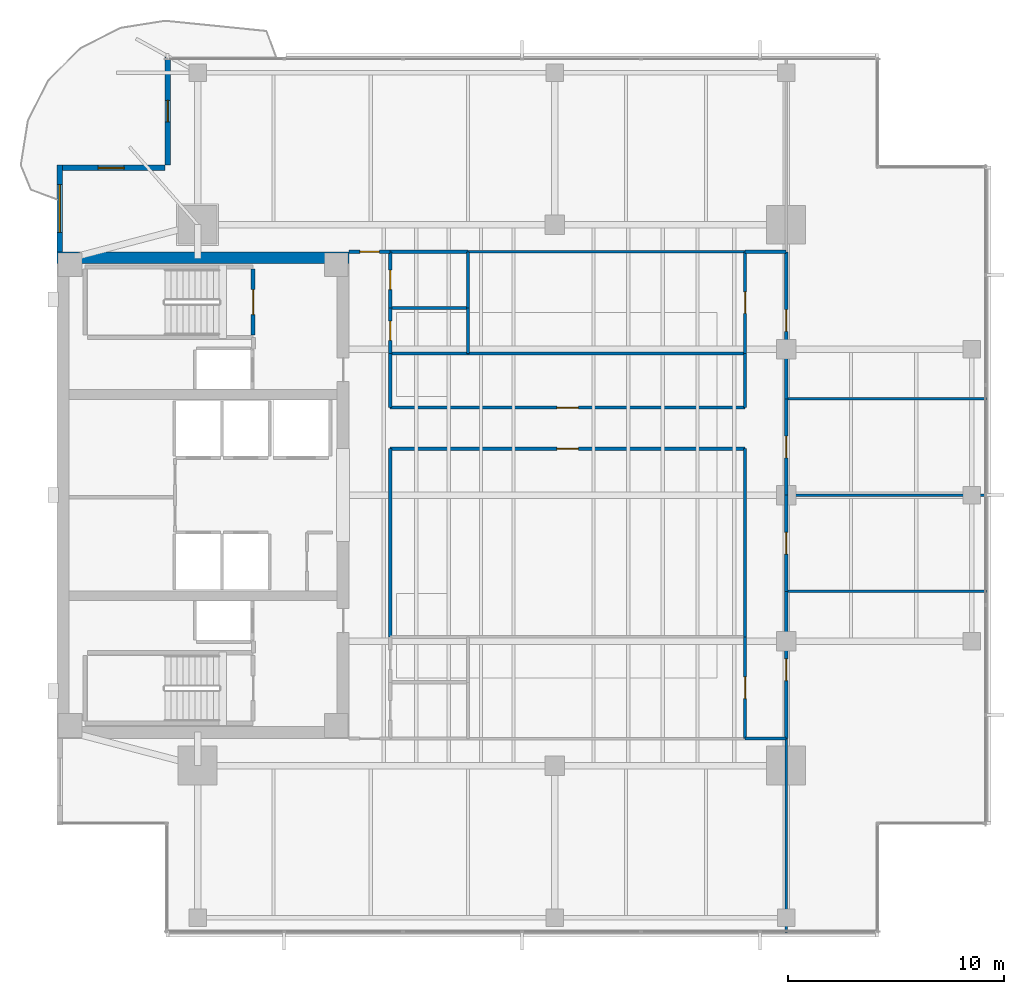
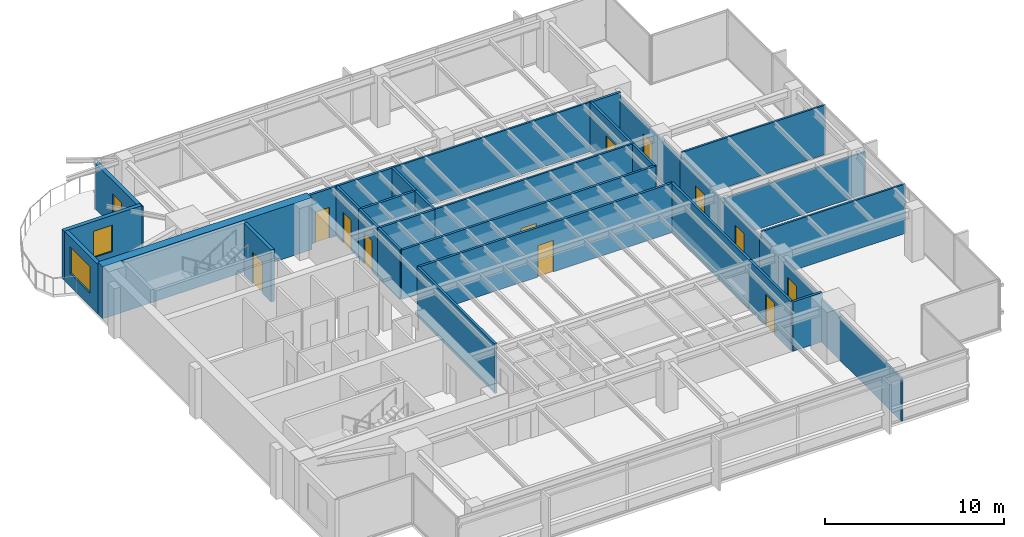
# One storey, part 9 of 14: 33 walls, 13 doors, 2 windows, 15 openings.
"""IFC4 building model written with IfcOpenShell, lengths in metres."""

from ifc_helpers import new_model, si_unit, direction, frame, frame_2d, origin, place, context, subcontext, project, spatial, rectangle, extrude, material, layer, layer_set, type_object, element, fill, save


model = new_model("IFC4")

# Units and contexts
model_context = context("Model", 3, precision=1e-05, world=origin(), true_north=direction((0.0, 1.0)))
body_context = subcontext(model_context, "Body", "Model", "MODEL_VIEW")
ifc_project = project(units=[si_unit("LENGTHUNIT", "METRE"), si_unit("AREAUNIT", "SQUARE_METRE"), si_unit("VOLUMEUNIT", "CUBIC_METRE"), si_unit("PLANEANGLEUNIT", "RADIAN"), si_unit("MASSUNIT", "GRAM", prefix="KILO")], contexts=[model_context])

# Site, building, storey
site_placement = place(None, origin())
site = spatial("IfcSite", under=ifc_project, at=site_placement, CompositionType="ELEMENT")
building_placement = place(site_placement, origin())
building = spatial("IfcBuilding", under=site, at=building_placement, Name="Kinhvarn Gate Tower", CompositionType="ELEMENT")
storey_placement = place(building_placement, frame((0.0, 0.0, 209.35009765625)))
storey = spatial("IfcBuildingStorey", under=building, at=storey_placement, Name="L55", CompositionType="ELEMENT", Elevation=209.35009765625)

# Wall
ifc_material_1 = material(Name="Concrete C60/75", Category="concrete")
ifc_layer_1 = layer(ifc_material_1, 0.550048828125)
ifc_layer_set_1 = layer_set([ifc_layer_1], Name="Concrete C60/75")
wall_type_1 = type_object("IfcWallType", Name="WL-CORE-550", PredefinedType="SHEAR", material=ifc_layer_set_1)
wall_1_placement = place(storey_placement, frame((4.5, 36.22509765625, 0.0), z_axis=(0.0, 0.0, 1.0), x_axis=(1.0, 0.0, 0.0)))
element("IfcWall", 1, at=wall_1_placement, inside=storey, type_object=wall_type_1, Name="Core North Shear Wall L55 550 mm", PredefinedType="SHEAR", context=body_context, shape_type="SweptSolid", body=[
    extrude(rectangle(XDim=13.5, YDim=0.550048828125, at=frame_2d((6.75, 0.0))), origin(), (0.0, 0.0, 1.0), 3.5498046875),
])

# Wall, opening, window
ifc_material_2 = material(Name="Fired architectural terracotta", Category="masonry")
ifc_layer_2 = layer(ifc_material_2, 0.25)
ifc_layer_set_2 = layer_set([ifc_layer_2], Name="Fired architectural terracotta")
wall_type_2 = type_object("IfcWallType", Name="WL-EXT-250", PredefinedType="SOLIDWALL", material=ifc_layer_set_2)
wall_2_placement = place(storey_placement, frame((4.625, 40.5, 0.0), z_axis=(0.0, 0.0, 1.0), x_axis=(0.0, -1.0, 0.0)))
wall_2 = element("IfcWall", 2, at=wall_2_placement, inside=storey, type_object=wall_type_2, Name="Exterior Solidwall Wall EW-250 (L55 West-North)", PredefinedType="SOLIDWALL", context=body_context, shape_type="SweptSolid", body=[
    extrude(rectangle(XDim=4.0, YDim=0.25, at=frame_2d((2.0, 0.0))), origin(), (0.0, 0.0, 1.0), 3.369873046875),
])
opening_1_placement = place(wall_2_placement, frame((0.89990234375, 0.0, 0.89990234375)))
opening_1 = element("IfcOpeningElement", 3, at=opening_1_placement, cuts=wall_2, Name="Opening WN-01", PredefinedType="OPENING", context=body_context, shape_type="SweptSolid", body=[
    extrude(rectangle(XDim=2.199951171875, YDim=1.800048828125, at=frame_2d((1.10009765625, 0.89990234375))), frame((0.0, 0.135009765625, 0.0), z_axis=(0.0, -1.0, 0.0), x_axis=(1.0, 0.0, 0.0)), (0.0, 0.0, 1.0), 0.27001953125),
])
ifc_material_3 = material(Name="Clear low-e double glazing", Category="glass")
window_type_1 = type_object("IfcWindowType", Name="WIN-RIB-2200", PartitioningType="SINGLE_PANEL", PredefinedType="WINDOW", material=ifc_material_3)
window_1_placement = place(opening_1_placement, origin())
window_1 = element("IfcWindow", 4, at=window_1_placement, inside=storey, type_object=window_type_1, Name="West Flank Double-Glazed Ribbon Window 2200x1800 mm (L55)", OverallHeight=1.800048828125, OverallWidth=2.199951171875, PartitioningType="SINGLE_PANEL", PredefinedType="WINDOW", context=body_context, shape_type="SweptSolid", body=[
    extrude(rectangle(XDim=2.199951171875, YDim=1.800048828125, at=frame_2d((1.10009765625, 0.89990234375))), frame((0.0, 0.030029296875, 0.0), z_axis=(0.0, -1.0, 0.0), x_axis=(1.0, 0.0, 0.0)), (0.0, 0.0, 1.0), 0.06005859375),
])
fill(opening_1, window_1)

# Wall, opening, door
wall_3_placement = place(storey_placement, frame((9.625, 45.5, 0.0), z_axis=(0.0, 0.0, 1.0), x_axis=(0.0, -1.0, 0.0)))
wall_3 = element("IfcWall", 5, at=wall_3_placement, inside=storey, type_object=wall_type_2, Name="Exterior Solidwall Wall EW-250 (L55 NW-Notch-Door)", PredefinedType="SOLIDWALL", context=body_context, shape_type="SweptSolid", body=[
    extrude(rectangle(XDim=5.0, YDim=0.25, at=frame_2d((2.5, 0.0))), origin(), (0.0, 0.0, 1.0), 3.099853515625),
])
opening_2_placement = place(wall_3_placement, frame((2.0, 0.0, 0.0)))
opening_2 = element("IfcOpeningElement", 6, at=opening_2_placement, cuts=wall_3, Name="Opening BD-01", PredefinedType="OPENING", context=body_context, shape_type="SweptSolid", body=[
    extrude(rectangle(XDim=1.0, YDim=2.199951171875, at=frame_2d((0.5, 1.10009765625))), frame((0.0, 0.135009765625, 0.0), z_axis=(0.0, -1.0, 0.0), x_axis=(1.0, 0.0, 0.0)), (0.0, 0.0, 1.0), 0.27001953125),
])
door_type_1 = type_object("IfcDoorType", Name="DR-BAL-1000", OperationType="NOTDEFINED", PredefinedType="DOOR", material=ifc_material_3)
door_1_placement = place(opening_2_placement, frame((1.0, 0.0, 0.0), z_axis=(0.0, 0.0, 1.0), x_axis=(-1.0, 0.0, 0.0)))
door_1 = element("IfcDoor", 7, at=door_1_placement, inside=storey, type_object=door_type_1, Name="S-Carve Balcony Door BD-01 (L55)", OperationType="SINGLE_SWING_RIGHT", OverallHeight=2.199951171875, OverallWidth=1.0, PredefinedType="DOOR", context=body_context, shape_type="SweptSolid", body=[
    extrude(rectangle(XDim=1.0, YDim=2.199951171875, at=frame_2d((0.5, 1.10009765625))), frame((0.0, 0.02490234375, 0.0), z_axis=(0.0, -1.0, 0.0), x_axis=(1.0, 0.0, 0.0)), (0.0, 0.0, 1.0), 0.050048828125),
])
fill(opening_2, door_1)

# Wall, opening, window
wall_4_placement = place(storey_placement, frame((9.5, 40.375, 0.0), z_axis=(0.0, 0.0, 1.0), x_axis=(-1.0, 0.0, 0.0)))
wall_4 = element("IfcWall", 8, at=wall_4_placement, inside=storey, type_object=wall_type_2, Name="Exterior Solidwall Wall EW-250 (L55 NW-Notch-Win)", PredefinedType="SOLIDWALL", context=body_context, shape_type="SweptSolid", body=[
    extrude(rectangle(XDim=5.0, YDim=0.25, at=frame_2d((2.5, 0.0))), origin(), (0.0, 0.0, 1.0), 3.369873046875),
])
opening_3_placement = place(wall_4_placement, frame((1.89990234375, 0.0, 0.89990234375)))
opening_3 = element("IfcOpeningElement", 9, at=opening_3_placement, cuts=wall_4, Name="Opening WN-02", PredefinedType="OPENING", context=body_context, shape_type="SweptSolid", body=[
    extrude(rectangle(XDim=1.199951171875, YDim=1.800048828125, at=frame_2d((0.60009765625, 0.89990234375))), frame((0.0, 0.135009765625, 0.0), z_axis=(0.0, -1.0, 0.0), x_axis=(1.0, 0.0, 0.0)), (0.0, 0.0, 1.0), 0.27001953125),
])
window_type_2 = type_object("IfcWindowType", Name="WIN-NTC-1200", PartitioningType="SINGLE_PANEL", PredefinedType="WINDOW", material=ifc_material_3)
window_2_placement = place(opening_3_placement, origin())
window_2 = element("IfcWindow", 10, at=window_2_placement, inside=storey, type_object=window_type_2, Name="Recessed Corner Notch Punched Window 1200x1800 mm (L55)", OverallHeight=1.800048828125, OverallWidth=1.199951171875, PartitioningType="SINGLE_PANEL", PredefinedType="WINDOW", context=body_context, shape_type="SweptSolid", body=[
    extrude(rectangle(XDim=1.199951171875, YDim=1.800048828125, at=frame_2d((0.60009765625, 0.89990234375))), frame((0.0, 0.030029296875, 0.0), z_axis=(0.0, -1.0, 0.0), x_axis=(1.0, 0.0, 0.0)), (0.0, 0.0, 1.0), 0.06005859375),
])
fill(opening_3, window_2)

# Walls
ifc_material_4 = material(Name="Gypsum acoustic partition board")
ifc_layer_3 = layer(ifc_material_4, 0.14990234375)
ifc_layer_set_3 = layer_set([ifc_layer_3], Name="Gypsum acoustic partition board")
wall_type_3 = type_object("IfcWallType", Name="WL-PLM-150", PredefinedType="PLUMBINGWALL", material=ifc_layer_set_3)
wall_5_placement = place(storey_placement, frame((19.89990234375, 33.89990234375, 0.0), z_axis=(0.0, 0.0, 1.0), x_axis=(1.0, 0.0, 0.0)))
element("IfcWall", 11, at=wall_5_placement, inside=storey, type_object=wall_type_3, Name="Interior Partition PLW-150 (L55)", PredefinedType="PLUMBINGWALL", context=body_context, shape_type="SweptSolid", body=[
    extrude(rectangle(XDim=3.60009765625, YDim=0.14990234375, at=frame_2d((1.800048828125, 0.0))), origin(), (0.0, 0.0, 1.0), 3.369873046875),
])
wall_6_placement = place(storey_placement, frame((23.5, 33.89990234375, 0.0), z_axis=(0.0, 0.0, 1.0), x_axis=(0.0, 1.0, 0.0)))
element("IfcWall", 12, at=wall_6_placement, inside=storey, type_object=wall_type_3, Name="Interior Partition PLW-150 (L55)", PredefinedType="PLUMBINGWALL", context=body_context, shape_type="SweptSolid", body=[
    extrude(rectangle(XDim=2.60009765625, YDim=0.14990234375, at=frame_2d((1.300048828125, 0.0))), origin(), (0.0, 0.0, 1.0), 3.369873046875),
])
wall_7_placement = place(storey_placement, frame((19.89990234375, 36.5, 0.0), z_axis=(0.0, 0.0, 1.0), x_axis=(1.0, 0.0, 0.0)))
element("IfcWall", 13, at=wall_7_placement, inside=storey, type_object=wall_type_3, Name="Interior Partition PLW-150 (L55)", PredefinedType="PLUMBINGWALL", context=body_context, shape_type="SweptSolid", body=[
    extrude(rectangle(XDim=3.60009765625, YDim=0.14990234375, at=frame_2d((1.800048828125, 0.0))), origin(), (0.0, 0.0, 1.0), 3.369873046875),
])
wall_8_placement = place(storey_placement, frame((23.5, 31.800048828125, 0.0), z_axis=(0.0, 0.0, 1.0), x_axis=(0.0, 1.0, 0.0)))
element("IfcWall", 14, at=wall_8_placement, inside=storey, type_object=wall_type_3, Name="Interior Partition PLW-150 (L55)", PredefinedType="PLUMBINGWALL", context=body_context, shape_type="SweptSolid", body=[
    extrude(rectangle(XDim=2.099853515625, YDim=0.14990234375, at=frame_2d((1.0498046875, 0.0))), origin(), (0.0, 0.0, 1.0), 3.369873046875),
])
wall_9_placement = place(storey_placement, frame((19.89990234375, 31.800048828125, 0.0), z_axis=(0.0, 0.0, 1.0), x_axis=(1.0, 0.0, 0.0)))
element("IfcWall", 15, at=wall_9_placement, inside=storey, type_object=wall_type_3, Name="Interior Partition PLW-150 (L55)", PredefinedType="PLUMBINGWALL", context=body_context, shape_type="SweptSolid", body=[
    extrude(rectangle(XDim=3.60009765625, YDim=0.14990234375, at=frame_2d((1.800048828125, 0.0))), origin(), (0.0, 0.0, 1.0), 3.369873046875),
])

# Wall, opening, door
ifc_layer_4 = layer(ifc_material_4, 0.14990234375)
ifc_layer_set_4 = layer_set([ifc_layer_4], Name="Gypsum acoustic partition board")
wall_type_4 = type_object("IfcWallType", Name="WL-PLM-150F", PredefinedType="PLUMBINGWALL", material=ifc_layer_set_4)
wall_10_placement = place(storey_placement, frame((19.89990234375, 33.89990234375, 0.0), z_axis=(0.0, 0.0, 1.0), x_axis=(0.0, 1.0, 0.0)))
wall_10 = element("IfcWall", 16, at=wall_10_placement, inside=storey, type_object=wall_type_4, Name="Interior Partition PLW-150F (L55)", PredefinedType="PLUMBINGWALL", context=body_context, shape_type="SweptSolid", body=[
    extrude(rectangle(XDim=2.60009765625, YDim=0.14990234375, at=frame_2d((1.300048828125, 0.0))), origin(), (0.0, 0.0, 1.0), 3.369873046875),
])
opening_4_placement = place(wall_10_placement, frame((0.85009765625, 0.0, 0.0)))
opening_4 = element("IfcOpeningElement", 17, at=opening_4_placement, cuts=wall_10, Name="Opening FD-04", PredefinedType="OPENING", context=body_context, shape_type="SweptSolid", body=[
    extrude(rectangle(XDim=0.89990234375, YDim=2.10009765625, at=frame_2d((0.449951171875, 1.050048828125))), frame((0.0, 0.0849609375, 0.0), z_axis=(0.0, -1.0, 0.0), x_axis=(1.0, 0.0, 0.0)), (0.0, 0.0, 1.0), 0.169921875),
])
ifc_material_5 = material(Name="Anodised aluminium AW-6063", Category="aluminium")
door_type_2 = type_object("IfcDoorType", Name="DR-FD-900", OperationType="NOTDEFINED", PredefinedType="DOOR", material=ifc_material_5)
door_2_placement = place(opening_4_placement, origin())
door_2 = element("IfcDoor", 18, at=door_2_placement, inside=storey, type_object=door_type_2, Name="Rated Riser & Service Closet Fire Door 900x2100 mm (L55)", OperationType="SINGLE_SWING_LEFT", OverallHeight=2.10009765625, OverallWidth=0.89990234375, PredefinedType="DOOR", context=body_context, shape_type="SweptSolid", body=[
    extrude(rectangle(XDim=0.89990234375, YDim=2.10009765625, at=frame_2d((0.449951171875, 1.050048828125))), frame((0.0, 0.02490234375, 0.0), z_axis=(0.0, -1.0, 0.0), x_axis=(1.0, 0.0, 0.0)), (0.0, 0.0, 1.0), 0.050048828125),
])
fill(opening_4, door_2)

wall_11_placement = place(storey_placement, frame((19.89990234375, 31.800048828125, 0.0), z_axis=(0.0, 0.0, 1.0), x_axis=(0.0, 1.0, 0.0)))
wall_11 = element("IfcWall", 19, at=wall_11_placement, inside=storey, type_object=wall_type_4, Name="Interior Partition PLW-150F (L55)", PredefinedType="PLUMBINGWALL", context=body_context, shape_type="SweptSolid", body=[
    extrude(rectangle(XDim=2.099853515625, YDim=0.14990234375, at=frame_2d((1.0498046875, 0.0))), origin(), (0.0, 0.0, 1.0), 3.369873046875),
])
opening_5_placement = place(wall_11_placement, frame((0.60009765625, 0.0, 0.0)))
opening_5 = element("IfcOpeningElement", 20, at=opening_5_placement, cuts=wall_11, Name="Opening FD-04", PredefinedType="OPENING", context=body_context, shape_type="SweptSolid", body=[
    extrude(rectangle(XDim=0.89990234375, YDim=2.10009765625, at=frame_2d((0.449951171875, 1.050048828125))), frame((0.0, 0.0849609375, 0.0), z_axis=(0.0, -1.0, 0.0), x_axis=(1.0, 0.0, 0.0)), (0.0, 0.0, 1.0), 0.169921875),
])
door_3_placement = place(opening_5_placement, origin())
door_3 = element("IfcDoor", 21, at=door_3_placement, inside=storey, type_object=door_type_2, Name="Rated Riser & Service Closet Fire Door 900x2100 mm (L55)", OperationType="SINGLE_SWING_LEFT", OverallHeight=2.10009765625, OverallWidth=0.89990234375, PredefinedType="DOOR", context=body_context, shape_type="SweptSolid", body=[
    extrude(rectangle(XDim=0.89990234375, YDim=2.10009765625, at=frame_2d((0.449951171875, 1.050048828125))), frame((0.0, 0.02490234375, 0.0), z_axis=(0.0, -1.0, 0.0), x_axis=(1.0, 0.0, 0.0)), (0.0, 0.0, 1.0), 0.050048828125),
])
fill(opening_5, door_3)

# Walls
ifc_layer_5 = layer(ifc_material_4, 0.1201171875)
ifc_layer_set_5 = layer_set([ifc_layer_5], Name="Gypsum acoustic partition board")
wall_type_5 = type_object("IfcWallType", Name="WL-PRT-120", PredefinedType="PARTITIONING", material=ifc_layer_set_5)
for number, where, z_axis, x_axis, name in (
    (22, (23.5, 31.800048828125, 0.0), (0.0, 0.0, 1.0), (1.0, 0.0, 0.0), "Interior Partition PW-120 (L55)"),
    (23, (23.5, 36.5, 0.0), (0.0, 0.0, 1.0), (1.0, 0.0, 0.0), "Interior Partition PW-120 (L55)"),
):
    element("IfcWall", number, at=place(storey_placement, frame(where, z_axis=z_axis, x_axis=x_axis)), inside=storey, type_object=wall_type_5, Name=name, PredefinedType="PARTITIONING", context=body_context, shape_type="SweptSolid", body=[
        extrude(rectangle(XDim=12.800048828125, YDim=0.1201171875, at=frame_2d((6.39990234375, 0.0))), origin(), (0.0, 0.0, 1.0), 3.369873046875),
    ])
wall_12_placement = place(storey_placement, frame((38.199951171875, 5.010009765625, 0.0), z_axis=(0.0, 0.0, 1.0), x_axis=(0.0, 1.0, 0.0)))
element("IfcWall", 24, at=wall_12_placement, inside=storey, type_object=wall_type_5, Name="Interior Partition PW-120 (L55)", PredefinedType="PARTITIONING", context=body_context, shape_type="SweptSolid", body=[
    extrude(rectangle(XDim=8.989990234375, YDim=0.1201171875, at=frame_2d((4.4951171875, 0.0))), origin(), (0.0, 0.0, 1.0), 2.919921875),
])
wall_13_placement = place(storey_placement, frame((38.199951171875, 20.800048828125, 0.0), z_axis=(0.0, 0.0, 1.0), x_axis=(1.0, 0.0, 0.0)))
element("IfcWall", 25, at=wall_13_placement, inside=storey, type_object=wall_type_5, Name="Interior Partition PW-120 (L55)", PredefinedType="PARTITIONING", context=body_context, shape_type="SweptSolid", body=[
    extrude(rectangle(XDim=9.2900390625, YDim=0.1201171875, at=frame_2d((4.64501953125, 0.0))), origin(), (0.0, 0.0, 1.0), 3.369873046875),
])
wall_14_placement = place(storey_placement, frame((38.199951171875, 25.25, 0.0), z_axis=(0.0, 0.0, 1.0), x_axis=(1.0, 0.0, 0.0)))
element("IfcWall", 26, at=wall_14_placement, inside=storey, type_object=wall_type_5, Name="Interior Partition PW-120 (L55)", PredefinedType="PARTITIONING", context=body_context, shape_type="SweptSolid", body=[
    extrude(rectangle(XDim=9.2900390625, YDim=0.1201171875, at=frame_2d((4.64501953125, 0.0))), origin(), (0.0, 0.0, 1.0), 2.869873046875),
])
wall_15_placement = place(storey_placement, frame((38.199951171875, 29.699951171875, 0.0), z_axis=(0.0, 0.0, 1.0), x_axis=(1.0, 0.0, 0.0)))
element("IfcWall", 27, at=wall_15_placement, inside=storey, type_object=wall_type_5, Name="Interior Partition PW-120 (L55)", PredefinedType="PARTITIONING", context=body_context, shape_type="SweptSolid", body=[
    extrude(rectangle(XDim=9.2900390625, YDim=0.1201171875, at=frame_2d((4.64501953125, 0.0))), origin(), (0.0, 0.0, 1.0), 3.369873046875),
])
ifc_layer_6 = layer(ifc_material_4, 0.14990234375)
ifc_layer_set_6 = layer_set([ifc_layer_6], Name="Gypsum acoustic partition board")
wall_type_6 = type_object("IfcWallType", Name="WL-PRT-150F", PredefinedType="PARTITIONING", material=ifc_layer_set_6)
wall_16_placement = place(storey_placement, frame((19.89990234375, 18.699951171875, 0.0), z_axis=(0.0, 0.0, 1.0), x_axis=(0.0, 1.0, 0.0)))
element("IfcWall", 28, at=wall_16_placement, inside=storey, type_object=wall_type_6, Name="Interior Partition PW-150F (L55)", PredefinedType="PARTITIONING", context=body_context, shape_type="SweptSolid", body=[
    extrude(rectangle(XDim=8.699951171875, YDim=0.14990234375, at=frame_2d((4.35009765625, 0.0))), origin(), (0.0, 0.0, 1.0), 3.369873046875),
])
wall_17_placement = place(storey_placement, frame((19.89990234375, 29.300048828125, 0.0), z_axis=(0.0, 0.0, 1.0), x_axis=(0.0, 1.0, 0.0)))
element("IfcWall", 29, at=wall_17_placement, inside=storey, type_object=wall_type_6, Name="Interior Partition PW-150F (L55)", PredefinedType="PARTITIONING", context=body_context, shape_type="SweptSolid", body=[
    extrude(rectangle(XDim=2.5, YDim=0.14990234375, at=frame_2d((1.25, 0.0))), origin(), (0.0, 0.0, 1.0), 3.369873046875),
])

# Wall, opening, door
wall_18_placement = place(storey_placement, frame((18.0, 36.5, 0.0), z_axis=(0.0, 0.0, 1.0), x_axis=(1.0, 0.0, 0.0)))
wall_18 = element("IfcWall", 30, at=wall_18_placement, inside=storey, type_object=wall_type_6, Name="Interior Partition PW-150F (L55)", PredefinedType="PARTITIONING", context=body_context, shape_type="SweptSolid", body=[
    extrude(rectangle(XDim=1.89990234375, YDim=0.14990234375, at=frame_2d((0.949951171875, 0.0))), origin(), (0.0, 0.0, 1.0), 3.369873046875),
])
opening_6_placement = place(wall_18_placement, frame((0.5, 0.0, 0.0)))
opening_6 = element("IfcOpeningElement", 31, at=opening_6_placement, cuts=wall_18, Name="Opening ID-03", PredefinedType="OPENING", context=body_context, shape_type="SweptSolid", body=[
    extrude(rectangle(XDim=0.89990234375, YDim=2.10009765625, at=frame_2d((0.449951171875, 1.050048828125))), frame((0.0, 0.0849609375, 0.0), z_axis=(0.0, -1.0, 0.0), x_axis=(1.0, 0.0, 0.0)), (0.0, 0.0, 1.0), 0.169921875),
])
door_type_3 = type_object("IfcDoorType", Name="DR-INT-900", OperationType="NOTDEFINED", PredefinedType="DOOR", material=ifc_material_5)
door_4_placement = place(opening_6_placement, origin())
door_4 = element("IfcDoor", 32, at=door_4_placement, inside=storey, type_object=door_type_3, Name="Cellular Office & Restroom Door 900x2100 mm (L55)", OperationType="SINGLE_SWING_LEFT", OverallHeight=2.10009765625, OverallWidth=0.89990234375, PredefinedType="DOOR", context=body_context, shape_type="SweptSolid", body=[
    extrude(rectangle(XDim=0.89990234375, YDim=2.10009765625, at=frame_2d((0.449951171875, 1.050048828125))), frame((0.0, 0.02490234375, 0.0), z_axis=(0.0, -1.0, 0.0), x_axis=(1.0, 0.0, 0.0)), (0.0, 0.0, 1.0), 0.050048828125),
])
fill(opening_6, door_4)

wall_19_placement = place(storey_placement, frame((19.89990234375, 27.39990234375, 0.0), z_axis=(0.0, 0.0, 1.0), x_axis=(1.0, 0.0, 0.0)))
wall_19 = element("IfcWall", 33, at=wall_19_placement, inside=storey, type_object=wall_type_6, Name="Interior Partition PW-150F (L55)", PredefinedType="PARTITIONING", context=body_context, shape_type="SweptSolid", body=[
    extrude(rectangle(XDim=16.400146484375, YDim=0.14990234375, at=frame_2d((8.2001953125, 0.0))), origin(), (0.0, 0.0, 1.0), 3.369873046875),
])
opening_7_placement = place(wall_19_placement, frame((7.699951171875, 0.0, 0.0)))
opening_7 = element("IfcOpeningElement", 34, at=opening_7_placement, cuts=wall_19, Name="Opening ID-02", PredefinedType="OPENING", context=body_context, shape_type="SweptSolid", body=[
    extrude(rectangle(XDim=1.0, YDim=2.14990234375, at=frame_2d((0.5, 1.074951171875))), frame((0.0, 0.0849609375, 0.0), z_axis=(0.0, -1.0, 0.0), x_axis=(1.0, 0.0, 0.0)), (0.0, 0.0, 1.0), 0.169921875),
])
door_type_4 = type_object("IfcDoorType", Name="DR-INT-1000", OperationType="NOTDEFINED", PredefinedType="DOOR", material=ifc_material_5)
door_5_placement = place(opening_7_placement, origin())
door_5 = element("IfcDoor", 35, at=door_5_placement, inside=storey, type_object=door_type_4, Name="Standard Office & Meeting Room Door 1000x2150 mm (L55)", OperationType="SINGLE_SWING_RIGHT", OverallHeight=2.14990234375, OverallWidth=1.0, PredefinedType="DOOR", context=body_context, shape_type="SweptSolid", body=[
    extrude(rectangle(XDim=1.0, YDim=2.14990234375, at=frame_2d((0.5, 1.074951171875))), frame((0.0, 0.02490234375, 0.0), z_axis=(0.0, -1.0, 0.0), x_axis=(1.0, 0.0, 0.0)), (0.0, 0.0, 1.0), 0.050048828125),
])
fill(opening_7, door_5)

wall_20_placement = place(storey_placement, frame((19.89990234375, 29.300048828125, 0.0), z_axis=(0.0, 0.0, 1.0), x_axis=(1.0, 0.0, 0.0)))
wall_20 = element("IfcWall", 36, at=wall_20_placement, inside=storey, type_object=wall_type_6, Name="Interior Partition PW-150F (L55)", PredefinedType="PARTITIONING", context=body_context, shape_type="SweptSolid", body=[
    extrude(rectangle(XDim=16.400146484375, YDim=0.14990234375, at=frame_2d((8.2001953125, 0.0))), origin(), (0.0, 0.0, 1.0), 3.369873046875),
])
opening_8_placement = place(wall_20_placement, frame((7.699951171875, 0.0, 0.0)))
opening_8 = element("IfcOpeningElement", 37, at=opening_8_placement, cuts=wall_20, Name="Opening ID-02", PredefinedType="OPENING", context=body_context, shape_type="SweptSolid", body=[
    extrude(rectangle(XDim=1.0, YDim=2.14990234375, at=frame_2d((0.5, 1.074951171875))), frame((0.0, 0.0849609375, 0.0), z_axis=(0.0, -1.0, 0.0), x_axis=(1.0, 0.0, 0.0)), (0.0, 0.0, 1.0), 0.169921875),
])
door_6_placement = place(opening_8_placement, origin())
door_6 = element("IfcDoor", 38, at=door_6_placement, inside=storey, type_object=door_type_4, Name="Standard Office & Meeting Room Door 1000x2150 mm (L55)", OperationType="SINGLE_SWING_LEFT", OverallHeight=2.14990234375, OverallWidth=1.0, PredefinedType="DOOR", context=body_context, shape_type="SweptSolid", body=[
    extrude(rectangle(XDim=1.0, YDim=2.14990234375, at=frame_2d((0.5, 1.074951171875))), frame((0.0, 0.02490234375, 0.0), z_axis=(0.0, -1.0, 0.0), x_axis=(1.0, 0.0, 0.0)), (0.0, 0.0, 1.0), 0.050048828125),
])
fill(opening_8, door_6)

wall_21_placement = place(storey_placement, frame((36.300048828125, 14.0, 0.0), z_axis=(0.0, 0.0, 1.0), x_axis=(0.0, 1.0, 0.0)))
wall_21 = element("IfcWall", 39, at=wall_21_placement, inside=storey, type_object=wall_type_6, Name="Interior Partition PW-150F (L55)", PredefinedType="PARTITIONING", context=body_context, shape_type="SweptSolid", body=[
    extrude(rectangle(XDim=4.699951171875, YDim=0.14990234375, at=frame_2d((2.35009765625, 0.0))), origin(), (0.0, 0.0, 1.0), 3.369873046875),
])
opening_9_placement = place(wall_21_placement, frame((1.85009765625, 0.0, 0.0)))
opening_9 = element("IfcOpeningElement", 40, at=opening_9_placement, cuts=wall_21, Name="Opening ID-02", PredefinedType="OPENING", context=body_context, shape_type="SweptSolid", body=[
    extrude(rectangle(XDim=1.0, YDim=2.14990234375, at=frame_2d((0.5, 1.074951171875))), frame((0.0, 0.0849609375, 0.0), z_axis=(0.0, -1.0, 0.0), x_axis=(1.0, 0.0, 0.0)), (0.0, 0.0, 1.0), 0.169921875),
])
door_7_placement = place(opening_9_placement, origin())
door_7 = element("IfcDoor", 41, at=door_7_placement, inside=storey, type_object=door_type_4, Name="Standard Office & Meeting Room Door 1000x2150 mm (L55)", OperationType="SINGLE_SWING_RIGHT", OverallHeight=2.14990234375, OverallWidth=1.0, PredefinedType="DOOR", context=body_context, shape_type="SweptSolid", body=[
    extrude(rectangle(XDim=1.0, YDim=2.14990234375, at=frame_2d((0.5, 1.074951171875))), frame((0.0, 0.02490234375, 0.0), z_axis=(0.0, -1.0, 0.0), x_axis=(1.0, 0.0, 0.0)), (0.0, 0.0, 1.0), 0.050048828125),
])
fill(opening_9, door_7)

wall_22_placement = place(storey_placement, frame((36.300048828125, 31.800048828125, 0.0), z_axis=(0.0, 0.0, 1.0), x_axis=(0.0, 1.0, 0.0)))
wall_22 = element("IfcWall", 42, at=wall_22_placement, inside=storey, type_object=wall_type_6, Name="Interior Partition PW-150F (L55)", PredefinedType="PARTITIONING", context=body_context, shape_type="SweptSolid", body=[
    extrude(rectangle(XDim=4.699951171875, YDim=0.14990234375, at=frame_2d((2.35009765625, 0.0))), origin(), (0.0, 0.0, 1.0), 3.369873046875),
])
opening_10_placement = place(wall_22_placement, frame((1.85009765625, 0.0, 0.0)))
opening_10 = element("IfcOpeningElement", 43, at=opening_10_placement, cuts=wall_22, Name="Opening ID-02", PredefinedType="OPENING", context=body_context, shape_type="SweptSolid", body=[
    extrude(rectangle(XDim=1.0, YDim=2.14990234375, at=frame_2d((0.5, 1.074951171875))), frame((0.0, 0.0849609375, 0.0), z_axis=(0.0, -1.0, 0.0), x_axis=(1.0, 0.0, 0.0)), (0.0, 0.0, 1.0), 0.169921875),
])
door_8_placement = place(opening_10_placement, origin())
door_8 = element("IfcDoor", 44, at=door_8_placement, inside=storey, type_object=door_type_4, Name="Standard Office & Meeting Room Door 1000x2150 mm (L55)", OperationType="SINGLE_SWING_LEFT", OverallHeight=2.14990234375, OverallWidth=1.0, PredefinedType="DOOR", context=body_context, shape_type="SweptSolid", body=[
    extrude(rectangle(XDim=1.0, YDim=2.14990234375, at=frame_2d((0.5, 1.074951171875))), frame((0.0, 0.02490234375, 0.0), z_axis=(0.0, -1.0, 0.0), x_axis=(1.0, 0.0, 0.0)), (0.0, 0.0, 1.0), 0.050048828125),
])
fill(opening_10, door_8)

# Walls
wall_23_placement = place(storey_placement, frame((36.300048828125, 18.699951171875, 0.0), z_axis=(0.0, 0.0, 1.0), x_axis=(0.0, 1.0, 0.0)))
element("IfcWall", 45, at=wall_23_placement, inside=storey, type_object=wall_type_6, Name="Interior Partition PW-150F (L55)", PredefinedType="PARTITIONING", context=body_context, shape_type="SweptSolid", body=[
    extrude(rectangle(XDim=8.699951171875, YDim=0.14990234375, at=frame_2d((4.35009765625, 0.0))), origin(), (0.0, 0.0, 1.0), 3.369873046875),
])
wall_24_placement = place(storey_placement, frame((36.300048828125, 29.300048828125, 0.0), z_axis=(0.0, 0.0, 1.0), x_axis=(0.0, 1.0, 0.0)))
element("IfcWall", 46, at=wall_24_placement, inside=storey, type_object=wall_type_6, Name="Interior Partition PW-150F (L55)", PredefinedType="PARTITIONING", context=body_context, shape_type="SweptSolid", body=[
    extrude(rectangle(XDim=2.5, YDim=0.14990234375, at=frame_2d((1.25, 0.0))), origin(), (0.0, 0.0, 1.0), 3.369873046875),
])
for number, where, z_axis, x_axis, name in (
    (47, (36.300048828125, 14.0, 0.0), (0.0, 0.0, 1.0), (1.0, 0.0, 0.0), "Interior Partition PW-150F (L55)"),
    (48, (36.300048828125, 36.5, 0.0), (0.0, 0.0, 1.0), (1.0, 0.0, 0.0), "Interior Partition PW-150F (L55)"),
):
    element("IfcWall", number, at=place(storey_placement, frame(where, z_axis=z_axis, x_axis=x_axis)), inside=storey, type_object=wall_type_6, Name=name, PredefinedType="PARTITIONING", context=body_context, shape_type="SweptSolid", body=[
        extrude(rectangle(XDim=1.89990234375, YDim=0.14990234375, at=frame_2d((0.949951171875, 0.0))), origin(), (0.0, 0.0, 1.0), 3.369873046875),
    ])

# Wall, opening, door
wall_25_placement = place(storey_placement, frame((38.199951171875, 14.0, 0.0), z_axis=(0.0, 0.0, 1.0), x_axis=(0.0, 1.0, 0.0)))
wall_25 = element("IfcWall", 49, at=wall_25_placement, inside=storey, type_object=wall_type_6, Name="Interior Partition PW-150F (L55)", PredefinedType="PARTITIONING", context=body_context, shape_type="SweptSolid", body=[
    extrude(rectangle(XDim=6.800048828125, YDim=0.14990234375, at=frame_2d((3.39990234375, 0.0))), origin(), (0.0, 0.0, 1.0), 2.919921875),
])
opening_11_placement = place(wall_25_placement, frame((2.678955078125, 0.0, 0.0)))
opening_11 = element("IfcOpeningElement", 50, at=opening_11_placement, cuts=wall_25, Name="Opening ID-02", PredefinedType="OPENING", context=body_context, shape_type="SweptSolid", body=[
    extrude(rectangle(XDim=1.0, YDim=2.14990234375, at=frame_2d((0.5, 1.074951171875))), frame((0.0, 0.0849609375, 0.0), z_axis=(0.0, -1.0, 0.0), x_axis=(1.0, 0.0, 0.0)), (0.0, 0.0, 1.0), 0.169921875),
])
door_9_placement = place(opening_11_placement, origin())
door_9 = element("IfcDoor", 51, at=door_9_placement, inside=storey, type_object=door_type_4, Name="Standard Office & Meeting Room Door 1000x2150 mm (L55)", OperationType="SINGLE_SWING_RIGHT", OverallHeight=2.14990234375, OverallWidth=1.0, PredefinedType="DOOR", context=body_context, shape_type="SweptSolid", body=[
    extrude(rectangle(XDim=1.0, YDim=2.14990234375, at=frame_2d((0.5, 1.074951171875))), frame((0.0, 0.02490234375, 0.0), z_axis=(0.0, -1.0, 0.0), x_axis=(1.0, 0.0, 0.0)), (0.0, 0.0, 1.0), 0.050048828125),
])
fill(opening_11, door_9)

wall_26_placement = place(storey_placement, frame((38.199951171875, 20.800048828125, 0.0), z_axis=(0.0, 0.0, 1.0), x_axis=(0.0, 1.0, 0.0)))
wall_26 = element("IfcWall", 52, at=wall_26_placement, inside=storey, type_object=wall_type_6, Name="Interior Partition PW-150F (L55)", PredefinedType="PARTITIONING", context=body_context, shape_type="SweptSolid", body=[
    extrude(rectangle(XDim=4.449951171875, YDim=0.14990234375, at=frame_2d((2.22509765625, 0.0))), origin(), (0.0, 0.0, 1.0), 2.919921875),
])
opening_12_placement = place(wall_26_placement, frame((1.72509765625, 0.0, 0.0)))
opening_12 = element("IfcOpeningElement", 53, at=opening_12_placement, cuts=wall_26, Name="Opening ID-02", PredefinedType="OPENING", context=body_context, shape_type="SweptSolid", body=[
    extrude(rectangle(XDim=1.0, YDim=2.14990234375, at=frame_2d((0.5, 1.074951171875))), frame((0.0, 0.0849609375, 0.0), z_axis=(0.0, -1.0, 0.0), x_axis=(1.0, 0.0, 0.0)), (0.0, 0.0, 1.0), 0.169921875),
])
door_10_placement = place(opening_12_placement, origin())
door_10 = element("IfcDoor", 54, at=door_10_placement, inside=storey, type_object=door_type_4, Name="Standard Office & Meeting Room Door 1000x2150 mm (L55)", OperationType="SINGLE_SWING_LEFT", OverallHeight=2.14990234375, OverallWidth=1.0, PredefinedType="DOOR", context=body_context, shape_type="SweptSolid", body=[
    extrude(rectangle(XDim=1.0, YDim=2.14990234375, at=frame_2d((0.5, 1.074951171875))), frame((0.0, 0.02490234375, 0.0), z_axis=(0.0, -1.0, 0.0), x_axis=(1.0, 0.0, 0.0)), (0.0, 0.0, 1.0), 0.050048828125),
])
fill(opening_12, door_10)

wall_27_placement = place(storey_placement, frame((38.199951171875, 25.25, 0.0), z_axis=(0.0, 0.0, 1.0), x_axis=(0.0, 1.0, 0.0)))
wall_27 = element("IfcWall", 55, at=wall_27_placement, inside=storey, type_object=wall_type_6, Name="Interior Partition PW-150F (L55)", PredefinedType="PARTITIONING", context=body_context, shape_type="SweptSolid", body=[
    extrude(rectangle(XDim=4.449951171875, YDim=0.14990234375, at=frame_2d((2.22509765625, 0.0))), origin(), (0.0, 0.0, 1.0), 2.919921875),
])
opening_13_placement = place(wall_27_placement, frame((1.72509765625, 0.0, 0.0)))
opening_13 = element("IfcOpeningElement", 56, at=opening_13_placement, cuts=wall_27, Name="Opening ID-02", PredefinedType="OPENING", context=body_context, shape_type="SweptSolid", body=[
    extrude(rectangle(XDim=1.0, YDim=2.14990234375, at=frame_2d((0.5, 1.074951171875))), frame((0.0, 0.0849609375, 0.0), z_axis=(0.0, -1.0, 0.0), x_axis=(1.0, 0.0, 0.0)), (0.0, 0.0, 1.0), 0.169921875),
])
door_11_placement = place(opening_13_placement, origin())
door_11 = element("IfcDoor", 57, at=door_11_placement, inside=storey, type_object=door_type_4, Name="Standard Office & Meeting Room Door 1000x2150 mm (L55)", OperationType="SINGLE_SWING_RIGHT", OverallHeight=2.14990234375, OverallWidth=1.0, PredefinedType="DOOR", context=body_context, shape_type="SweptSolid", body=[
    extrude(rectangle(XDim=1.0, YDim=2.14990234375, at=frame_2d((0.5, 1.074951171875))), frame((0.0, 0.02490234375, 0.0), z_axis=(0.0, -1.0, 0.0), x_axis=(1.0, 0.0, 0.0)), (0.0, 0.0, 1.0), 0.050048828125),
])
fill(opening_13, door_11)

wall_28_placement = place(storey_placement, frame((38.199951171875, 29.699951171875, 0.0), z_axis=(0.0, 0.0, 1.0), x_axis=(0.0, 1.0, 0.0)))
wall_28 = element("IfcWall", 58, at=wall_28_placement, inside=storey, type_object=wall_type_6, Name="Interior Partition PW-150F (L55)", PredefinedType="PARTITIONING", context=body_context, shape_type="SweptSolid", body=[
    extrude(rectangle(XDim=6.800048828125, YDim=0.14990234375, at=frame_2d((3.39990234375, 0.0))), origin(), (0.0, 0.0, 1.0), 2.919921875),
])
opening_14_placement = place(wall_28_placement, frame((3.12109375, 0.0, 0.0)))
opening_14 = element("IfcOpeningElement", 59, at=opening_14_placement, cuts=wall_28, Name="Opening ID-02", PredefinedType="OPENING", context=body_context, shape_type="SweptSolid", body=[
    extrude(rectangle(XDim=1.0, YDim=2.14990234375, at=frame_2d((0.5, 1.074951171875))), frame((0.0, 0.0849609375, 0.0), z_axis=(0.0, -1.0, 0.0), x_axis=(1.0, 0.0, 0.0)), (0.0, 0.0, 1.0), 0.169921875),
])
door_12_placement = place(opening_14_placement, origin())
door_12 = element("IfcDoor", 60, at=door_12_placement, inside=storey, type_object=door_type_4, Name="Standard Office & Meeting Room Door 1000x2150 mm (L55)", OperationType="SINGLE_SWING_LEFT", OverallHeight=2.14990234375, OverallWidth=1.0, PredefinedType="DOOR", context=body_context, shape_type="SweptSolid", body=[
    extrude(rectangle(XDim=1.0, YDim=2.14990234375, at=frame_2d((0.5, 1.074951171875))), frame((0.0, 0.02490234375, 0.0), z_axis=(0.0, -1.0, 0.0), x_axis=(1.0, 0.0, 0.0)), (0.0, 0.0, 1.0), 0.050048828125),
])
fill(opening_14, door_12)

ifc_material_6 = material(Name="Concrete C40/50", Category="concrete")
ifc_layer_7 = layer(ifc_material_6, 0.199951171875)
ifc_layer_set_7 = layer_set([ifc_layer_7], Name="Concrete C40/50")
wall_type_7 = type_object("IfcWallType", Name="WL-SHF-200", PredefinedType="SOLIDWALL", material=ifc_layer_set_7)
wall_29_placement = place(storey_placement, frame((13.56005859375, 32.64990234375, 0.0), z_axis=(0.0, 0.0, 1.0), x_axis=(0.0, 1.0, 0.0)))
wall_29 = element("IfcWall", 61, at=wall_29_placement, inside=storey, type_object=wall_type_7, Name="Stair ST2 East Entry Wall (L55)", PredefinedType="SOLIDWALL", context=body_context, shape_type="SweptSolid", body=[
    extrude(rectangle(XDim=3.050048828125, YDim=0.199951171875, at=frame_2d((1.52490234375, 0.0))), origin(), (0.0, 0.0, 1.0), 3.5498046875),
])
opening_15_placement = place(wall_29_placement, frame((0.949951171875, 0.0, 0.0)))
opening_15 = element("IfcOpeningElement", 62, at=opening_15_placement, cuts=wall_29, Name="Opening FD-01", PredefinedType="OPENING", context=body_context, shape_type="SweptSolid", body=[
    extrude(rectangle(XDim=1.14990234375, YDim=2.14990234375, at=frame_2d((0.574951171875, 1.074951171875))), frame((0.0, 0.10986328125, 0.0), z_axis=(0.0, -1.0, 0.0), x_axis=(1.0, 0.0, 0.0)), (0.0, 0.0, 1.0), 0.219970703125),
])
door_type_5 = type_object("IfcDoorType", Name="DR-ST-1150", OperationType="NOTDEFINED", PredefinedType="DOOR", material=ifc_material_5)
door_13_placement = place(opening_15_placement, origin())
door_13 = element("IfcDoor", 63, at=door_13_placement, inside=storey, type_object=door_type_5, Name="Exit Stair ST2 Fire Door (L55)", OperationType="SINGLE_SWING_RIGHT", OverallHeight=2.14990234375, OverallWidth=1.14990234375, PredefinedType="DOOR", context=body_context, shape_type="SweptSolid", body=[
    extrude(rectangle(XDim=1.14990234375, YDim=2.14990234375, at=frame_2d((0.574951171875, 1.074951171875))), frame((0.0, 0.02490234375, 0.0), z_axis=(0.0, -1.0, 0.0), x_axis=(1.0, 0.0, 0.0)), (0.0, 0.0, 1.0), 0.050048828125),
])
fill(opening_15, door_13)

save(model, "model.ifc")
